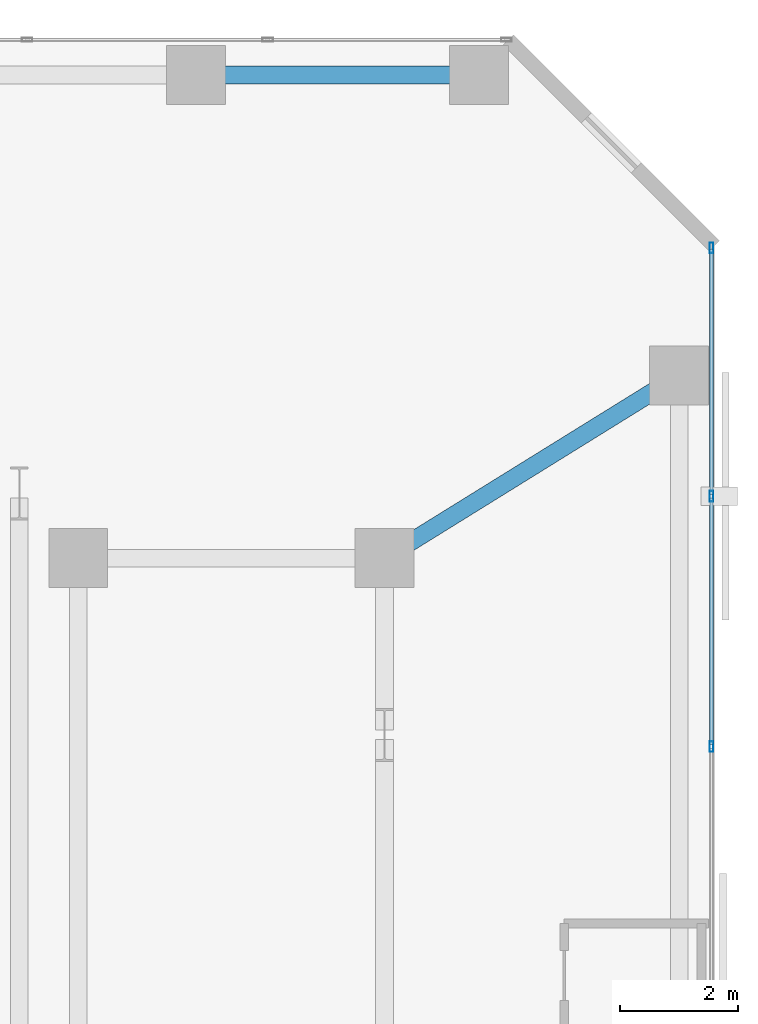
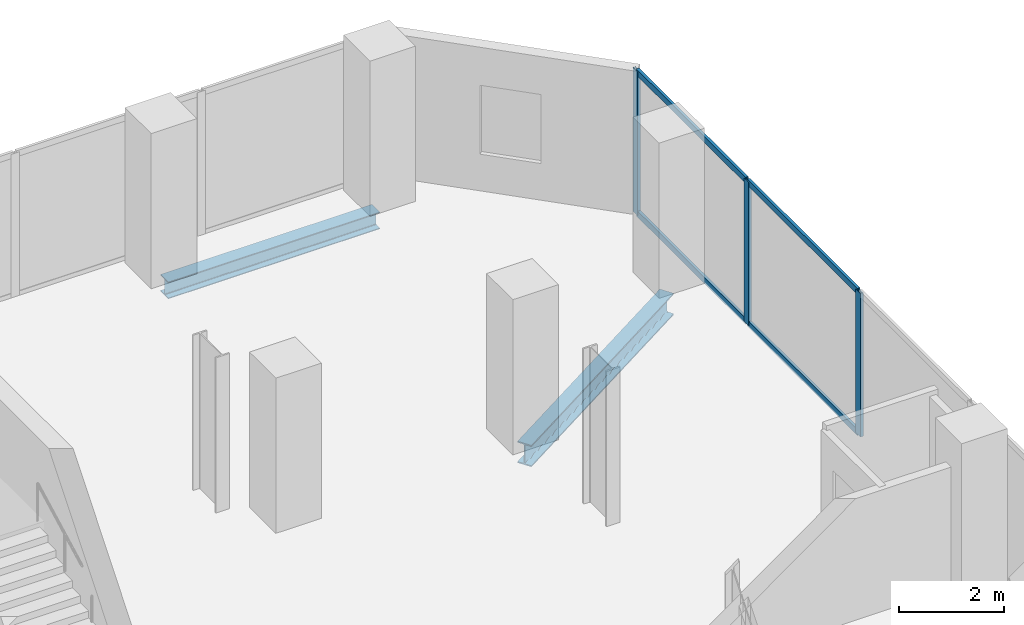
# One storey, part 23 of 31: 7 members, 2 beams, 1 element without a shape of its own.
"""IFC4 building model written with IfcOpenShell, lengths in metres."""

from ifc_helpers import new_model, si_unit, direction, frame, origin, origin_2d, place, context, subcontext, project, spatial, hollow_rectangle, i_section, extrude, material, layer, layer_set, material_profile, profile_set, type_object, element, aggregate, save


model = new_model("IFC4")

# Units and contexts
model_context = context("Model", 3, precision=1e-05, world=origin(), true_north=direction((0.0, 1.0)))
body_context = subcontext(model_context, "Body", "Model", "MODEL_VIEW")
ifc_project = project(units=[si_unit("LENGTHUNIT", "METRE"), si_unit("AREAUNIT", "SQUARE_METRE"), si_unit("VOLUMEUNIT", "CUBIC_METRE"), si_unit("PLANEANGLEUNIT", "RADIAN"), si_unit("MASSUNIT", "GRAM", prefix="KILO")], contexts=[model_context])

# Site, building, storey
site_placement = place(None, origin())
site = spatial("IfcSite", under=ifc_project, at=site_placement, CompositionType="ELEMENT")
building_placement = place(site_placement, origin())
building = spatial("IfcBuilding", under=site, at=building_placement, Name="Catumbela Crestline Tower", CompositionType="ELEMENT")
storey_placement = place(building_placement, frame((0.0, 0.0, 40.2)))
storey = spatial("IfcBuildingStorey", under=building, at=storey_placement, Name="L09", CompositionType="ELEMENT", Elevation=40.2)

# Beam
ifc_material_1 = material(Name="Structural steel S355J2", Category="steel")
ifc_material_profile_1 = material_profile(ifc_material_1, i_section(OverallWidth=0.3, OverallDepth=0.5, WebThickness=0.0145, FlangeThickness=0.028, FilletRadius=0.027, at=origin_2d()), Name="HEB 500")
ifc_profile_set_1 = profile_set([ifc_material_profile_1], Name="Structural steel S355J2")
beam_type_1 = type_object("IfcBeamType", Name="BG-HEB500", PredefinedType="BEAM", material=ifc_profile_set_1)
beam_1_placement = place(storey_placement, frame((50.468, 39.2422, -0.51), z_axis=(0.849908952007, 0.526929571479, 0.0), x_axis=(-0.526929571479, 0.849908952007, 0.0)))
element("IfcBeam", 1, at=beam_1_placement, inside=storey, type_object=beam_type_1, Name="L09 Beam BM-L09-N18", PredefinedType="BEAM", context=body_context, shape_type="SweptSolid", body=[
    extrude(i_section(OverallWidth=0.3, OverallDepth=0.5, WebThickness=0.0145, FlangeThickness=0.028, FilletRadius=0.027, at=origin_2d()), origin(), (0.0, 0.0, 1.0), 5.723),
])

# Curtain wall, members
ifc_material_2 = material(Name="Aluminium alloy AW-6060-T66", Category="aluminium")
ifc_layer = layer(ifc_material_2, 0.18, Name="Aluminium alloy AW-6060-T66")
ifc_layer_set = layer_set([ifc_layer], Name="Aluminium alloy AW-6060-T66")
curtain_wall_type = type_object("IfcCurtainWallType", Name="CWU-Z1", PredefinedType="USERDEFINED", material=ifc_layer_set)
curtain_wall_placement = place(storey_placement, origin())
curtain_wall = element("IfcCurtainWall", 2, at=curtain_wall_placement, inside=storey, type_object=curtain_wall_type, Name="L09 Unitised Curtain Wall CW-L09-E5S1", ObjectType="UNITISED", PredefinedType="USERDEFINED")
ifc_material_profile_2 = material_profile(ifc_material_2, hollow_rectangle(XDim=0.065, YDim=0.18, WallThickness=0.004, at=origin_2d()), Name="ALU 180x65x4")
ifc_profile_set_2 = profile_set([ifc_material_profile_2], Name="Aluminium alloy AW-6060-T66")
member_type_1 = type_object("IfcMemberType", Name="MUL-180X65", PredefinedType="MULLION", material=ifc_profile_set_2)
member_1_placement = place(storey_placement, frame((55.95, 36.0, 0.0), z_axis=(0.0, 0.0, 1.0), x_axis=(-1.0, 0.0, 0.0)))
member_1 = element("IfcMember", 3, at=member_1_placement, type_object=member_type_1, Name="CWU-Z1 mullion 3", PredefinedType="MULLION", context=body_context, shape_type="SweptSolid", body=[
    extrude(hollow_rectangle(XDim=0.065, YDim=0.18, WallThickness=0.004, at=origin_2d()), origin(), (0.0, 0.0, 1.0), 3.33),
])
member_2_placement = place(storey_placement, frame((55.95, 40.25, 0.0), z_axis=(0.0, 0.0, 1.0), x_axis=(-1.0, 0.0, 0.0)))
member_2 = element("IfcMember", 4, at=member_2_placement, type_object=member_type_1, Name="CWU-Z1 mullion 4", PredefinedType="MULLION", context=body_context, shape_type="SweptSolid", body=[
    extrude(hollow_rectangle(XDim=0.065, YDim=0.18, WallThickness=0.004, at=origin_2d()), origin(), (0.0, 0.0, 1.0), 3.33),
])
member_3_placement = place(storey_placement, frame((55.95, 44.4675, 0.0), z_axis=(0.0, 0.0, 1.0), x_axis=(-1.0, 0.0, 0.0)))
member_3 = element("IfcMember", 5, at=member_3_placement, type_object=member_type_1, Name="CWU-Z1 mullion 5", PredefinedType="MULLION", context=body_context, shape_type="SweptSolid", body=[
    extrude(hollow_rectangle(XDim=0.065, YDim=0.18, WallThickness=0.004, at=origin_2d()), origin(), (0.0, 0.0, 1.0), 3.33),
])

# Beam
ifc_material_profile_3 = material_profile(ifc_material_1, i_section(OverallWidth=0.3, OverallDepth=0.39, WebThickness=0.011, FlangeThickness=0.019, FilletRadius=0.027, at=origin_2d()), Name="HEA 400")
ifc_profile_set_3 = profile_set([ifc_material_profile_3], Name="Structural steel S355J2")
beam_type_2 = type_object("IfcBeamType", Name="BS-HEA400", PredefinedType="SPANDREL", material=ifc_profile_set_3)
beam_2_placement = place(storey_placement, frame((47.28, 47.4, -0.455), z_axis=(1.0, 0.0, 0.0), x_axis=(0.0, 1.0, 0.0)))
element("IfcBeam", 6, at=beam_2_placement, inside=storey, type_object=beam_type_2, Name="L09 Spandrel SP-L09-NF24", PredefinedType="SPANDREL", context=body_context, shape_type="SweptSolid", body=[
    extrude(i_section(OverallWidth=0.3, OverallDepth=0.39, WebThickness=0.011, FlangeThickness=0.019, FilletRadius=0.027, at=origin_2d()), origin(), (0.0, 0.0, 1.0), 4.64),
])

# Member
ifc_material_profile_4 = material_profile(ifc_material_2, hollow_rectangle(XDim=0.06, YDim=0.14, WallThickness=0.004, at=origin_2d()), Name="ALU 140x60x4")
ifc_profile_set_4 = profile_set([ifc_material_profile_4], Name="Aluminium alloy AW-6060-T66")
member_type_2 = type_object("IfcMemberType", Name="TRN-140X60", PredefinedType="USERDEFINED", material=ifc_profile_set_4)
member_4_placement = place(storey_placement, frame((55.95, 36.0325, 0.03), z_axis=(0.0, 1.0, 0.0), x_axis=(-1.0, 0.0, 0.0)))
member_4 = element("IfcMember", 7, at=member_4_placement, type_object=member_type_2, Name="CWU-Z1 transom 3.1", ObjectType="TRANSOM", PredefinedType="USERDEFINED", context=body_context, shape_type="SweptSolid", body=[
    extrude(hollow_rectangle(XDim=0.06, YDim=0.14, WallThickness=0.004, at=origin_2d()), origin(), (0.0, 0.0, 1.0), 4.185),
])

member_5_placement = place(storey_placement, frame((55.95, 36.0325, 3.3), z_axis=(0.0, 1.0, 0.0), x_axis=(-1.0, 0.0, 0.0)))
member_5 = element("IfcMember", 8, at=member_5_placement, type_object=member_type_2, Name="CWU-Z1 transom 3.2", ObjectType="TRANSOM", PredefinedType="USERDEFINED", context=body_context, shape_type="SweptSolid", body=[
    extrude(hollow_rectangle(XDim=0.06, YDim=0.14, WallThickness=0.004, at=origin_2d()), origin(), (0.0, 0.0, 1.0), 4.185),
])

member_6_placement = place(storey_placement, frame((55.95, 40.2825, 0.03), z_axis=(0.0, 1.0, 0.0), x_axis=(-1.0, 0.0, 0.0)))
member_6 = element("IfcMember", 9, at=member_6_placement, type_object=member_type_2, Name="CWU-Z1 transom 4.1", ObjectType="TRANSOM", PredefinedType="USERDEFINED", context=body_context, shape_type="SweptSolid", body=[
    extrude(hollow_rectangle(XDim=0.06, YDim=0.14, WallThickness=0.004, at=origin_2d()), origin(), (0.0, 0.0, 1.0), 4.1525),
])

member_7_placement = place(storey_placement, frame((55.95, 40.2825, 3.3), z_axis=(0.0, 1.0, 0.0), x_axis=(-1.0, 0.0, 0.0)))
member_7 = element("IfcMember", 10, at=member_7_placement, type_object=member_type_2, Name="CWU-Z1 transom 4.2", ObjectType="TRANSOM", PredefinedType="USERDEFINED", context=body_context, shape_type="SweptSolid", body=[
    extrude(hollow_rectangle(XDim=0.06, YDim=0.14, WallThickness=0.004, at=origin_2d()), origin(), (0.0, 0.0, 1.0), 4.1525),
])

aggregate(curtain_wall, [member_1, member_2, member_3, member_4, member_5, member_6, member_7])

save(model, "model.ifc")
